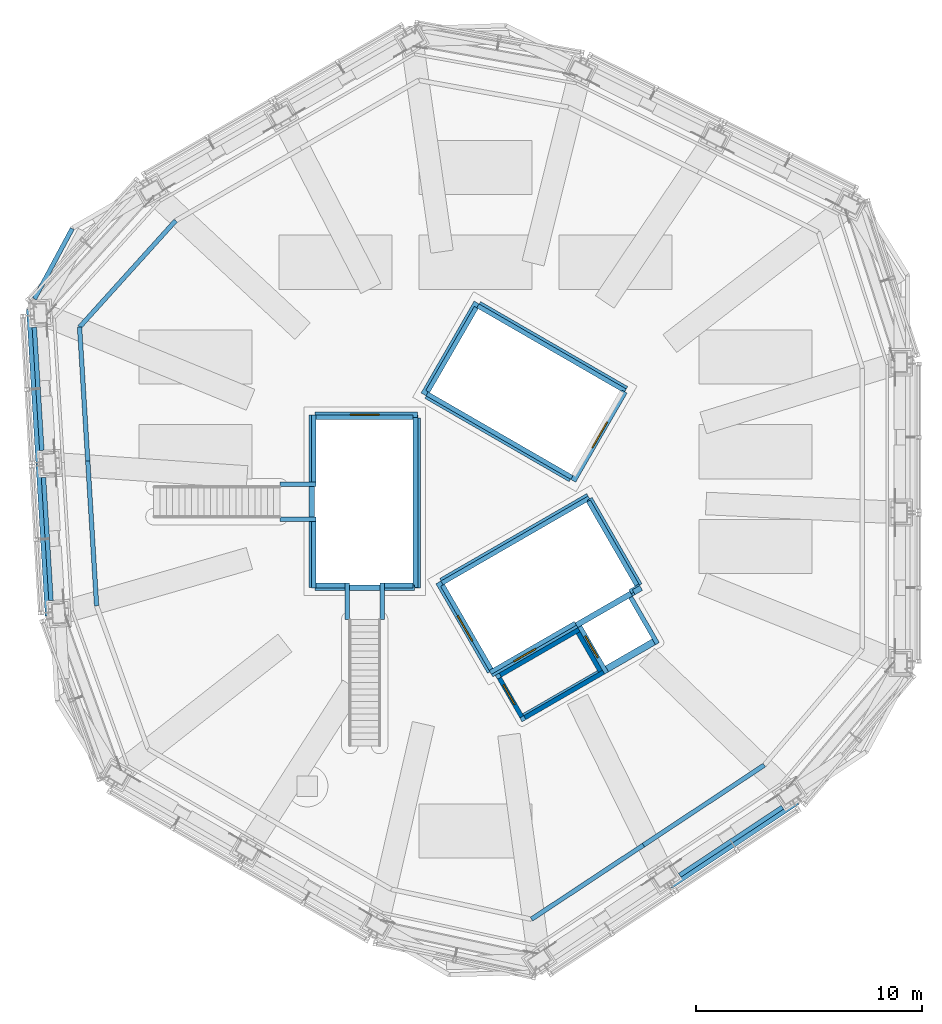
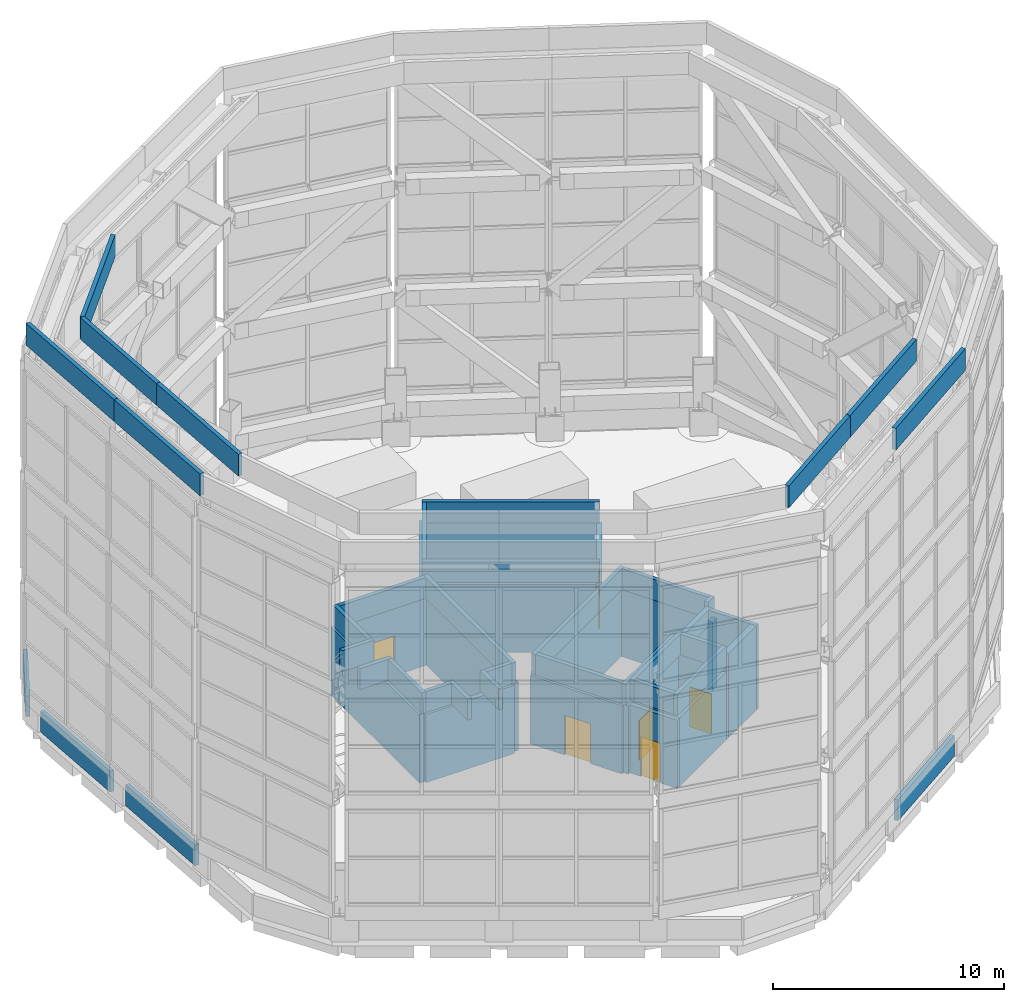
# One storey, part 21 of 46: 53 walls, 6 doors, 6 openings.
"""IFC4 building model written with IfcOpenShell, lengths in metres."""

from ifc_helpers import new_model, si_unit, direction, frame, frame_2d, origin, place, context, subcontext, project, spatial, rectangle, extrude, material, layer, layer_set, type_object, element, fill, save


model = new_model("IFC4")

# Units and contexts
model_context = context("Model", 3, precision=1e-05, world=origin(), true_north=direction((0.0, 1.0)))
body_context = subcontext(model_context, "Body", "Model", "MODEL_VIEW")
ifc_project = project(units=[si_unit("LENGTHUNIT", "METRE"), si_unit("AREAUNIT", "SQUARE_METRE"), si_unit("VOLUMEUNIT", "CUBIC_METRE"), si_unit("PLANEANGLEUNIT", "RADIAN"), si_unit("MASSUNIT", "GRAM", prefix="KILO")], contexts=[model_context])

# Site, building, storey
site_placement = place(None, origin())
site = spatial("IfcSite", under=ifc_project, at=site_placement, CompositionType="ELEMENT")
building_placement = place(site_placement, origin())
building = spatial("IfcBuilding", under=site, at=building_placement, Name="Vanh Sen Convention Tower", CompositionType="ELEMENT")
storey_placement = place(building_placement, frame((0.0, 0.0, 305.0)))
storey = spatial("IfcBuildingStorey", under=building, at=storey_placement, Name="Roof level", CompositionType="ELEMENT", Elevation=305.0)

# Walls
ifc_material_1 = material(Name="Concrete C50/60", Category="concrete")
ifc_layer_1 = layer(ifc_material_1, 0.199951171875)
ifc_layer_set_1 = layer_set([ifc_layer_1], Name="Concrete C50/60")
wall_type_1 = type_object("IfcWallType", Name="Crown deck parapet 200", PredefinedType="PARAPET", material=ifc_layer_set_1)
wall_1_placement = place(storey_placement, frame((-19.8330078125, 8.1259765625, 20.0), z_axis=(0.0, 0.0, 1.0), x_axis=(0.061022678925, -0.998136379788, 0.0)))
element("IfcWall", 1, at=wall_1_placement, inside=storey, type_object=wall_type_1, Name="Crown deck parapet outer 08", PredefinedType="PARAPET", context=body_context, shape_type="SweptSolid", body=[
    extrude(rectangle(XDim=6.873291015625, YDim=0.199951171875, at=frame_2d((3.4365234375, 0.0))), origin(), (0.0, 0.0, 1.0), 1.14990234375),
])
for number, where, z_axis, x_axis, name in (
    (2, (-19.41357421875, 1.265380859375, 20.0), (0.0, 0.0, 1.0), (0.06108279234, -0.998132702841, 0.0), "Crown deck parapet outer 09"),
    (3, (8.61083984375, -17.4453125, 20.0), (0.0, 0.0, 1.0), (0.833875036465, 0.551953280234, 0.0), "Crown deck parapet outer 15"),
):
    element("IfcWall", number, at=place(storey_placement, frame(where, z_axis=z_axis, x_axis=x_axis)), inside=storey, type_object=wall_type_1, Name=name, PredefinedType="PARAPET", context=body_context, shape_type="SweptSolid", body=[
        extrude(rectangle(XDim=6.73486328125, YDim=0.199951171875, at=frame_2d((3.367431640625, 0.0))), origin(), (0.0, 0.0, 1.0), 1.14990234375),
    ])
wall_2_placement = place(storey_placement, frame((-13.3232421875, 12.052978515625, 20.0), z_axis=(0.0, 0.0, 1.0), x_axis=(-0.670161316057, -0.742215474415, 0.0)))
element("IfcWall", 4, at=wall_2_placement, inside=storey, type_object=wall_type_1, Name="Crown deck parapet inner 07", PredefinedType="PARAPET", context=body_context, shape_type="SweptSolid", body=[
    extrude(rectangle(XDim=6.35302734375, YDim=0.199951171875, at=frame_2d((3.176513671875, 0.0))), origin(), (0.0, 0.0, 1.0), 1.14990234375),
])
wall_3_placement = place(storey_placement, frame((-17.580810546875, 7.337646484375, 20.0), z_axis=(0.0, 0.0, 1.0), x_axis=(0.061065006217, -0.99813379114, 0.0)))
element("IfcWall", 5, at=wall_3_placement, inside=storey, type_object=wall_type_1, Name="Crown deck parapet inner 08", PredefinedType="PARAPET", context=body_context, shape_type="SweptSolid", body=[
    extrude(rectangle(XDim=5.948974609375, YDim=0.199951171875, at=frame_2d((2.974609375, 0.0))), origin(), (0.0, 0.0, 1.0), 1.14990234375),
])
wall_4_placement = place(storey_placement, frame((-17.217529296875, 1.399658203125, 20.0), z_axis=(0.0, 0.0, 1.0), x_axis=(0.061033519724, -0.998135716959, 0.0)))
element("IfcWall", 6, at=wall_4_placement, inside=storey, type_object=wall_type_1, Name="Crown deck parapet inner 09", PredefinedType="PARAPET", context=body_context, shape_type="SweptSolid", body=[
    extrude(rectangle(XDim=6.420166015625, YDim=0.199951171875, at=frame_2d((3.2099609375, 0.0))), origin(), (0.0, 0.0, 1.0), 1.14990234375),
])
wall_5_placement = place(storey_placement, frame((2.435791015625, -18.894287109375, 20.0), z_axis=(0.0, 0.0, 1.0), x_axis=(0.833864151407, 0.551969724712, 0.0)))
element("IfcWall", 7, at=wall_5_placement, inside=storey, type_object=wall_type_1, Name="Crown deck parapet inner 14", PredefinedType="PARAPET", context=body_context, shape_type="SweptSolid", body=[
    extrude(rectangle(XDim=5.948974609375, YDim=0.199951171875, at=frame_2d((2.974609375, 0.0))), origin(), (0.0, 0.0, 1.0), 1.14990234375),
])
wall_6_placement = place(storey_placement, frame((7.396484375, -15.610595703125, 20.0), z_axis=(0.0, 0.0, 1.0), x_axis=(0.833894371207, 0.551924068754, 0.0)))
element("IfcWall", 8, at=wall_6_placement, inside=storey, type_object=wall_type_1, Name="Crown deck parapet inner 15", PredefinedType="PARAPET", context=body_context, shape_type="SweptSolid", body=[
    extrude(rectangle(XDim=6.420166015625, YDim=0.199951171875, at=frame_2d((3.2099609375, 0.0))), origin(), (0.0, 0.0, 1.0), 1.14990234375),
])
ifc_material_2 = material(Name="Concrete C40/50", Category="concrete")
ifc_layer_2 = layer(ifc_material_2, 0.199951171875)
ifc_layer_set_2 = layer_set([ifc_layer_2], Name="Concrete C40/50")
wall_type_2 = type_object("IfcWallType", Name="Head-house roof parapet 200", PredefinedType="PARAPET", material=ifc_layer_set_2)
for number, where, z_axis, x_axis, name in (
    (9, (-8.699951171875, 0.375, 3.60009765625), (0.0, 0.0, 1.0), (1.0, 0.0, 0.0), "Roof parapet Roof level"),
    (10, (-8.699951171875, -1.175048828125, 3.60009765625), (0.0, 0.0, 1.0), (1.0, 0.0, 0.0), "Roof parapet Roof level"),
):
    element("IfcWall", number, at=place(storey_placement, frame(where, z_axis=z_axis, x_axis=x_axis)), inside=storey, type_object=wall_type_2, Name=name, PredefinedType="PARAPET", context=body_context, shape_type="SweptSolid", body=[
        extrude(rectangle(XDim=1.599853515625, YDim=0.199951171875, at=frame_2d((0.7998046875, 0.0))), origin(), (0.0, 0.0, 1.0), 1.099853515625),
    ])
for number, where, z_axis, x_axis, name in (
    (11, (-4.175048828125, -5.610107421875, 3.60009765625), (0.0, 0.0, 1.0), (0.0, 1.0, 0.0), "Roof parapet Roof level"),
    (12, (-5.72509765625, -5.610107421875, 3.60009765625), (0.0, 0.0, 1.0), (0.0, 1.0, 0.0), "Roof parapet Roof level"),
):
    element("IfcWall", number, at=place(storey_placement, frame(where, z_axis=z_axis, x_axis=x_axis)), inside=storey, type_object=wall_type_2, Name=name, PredefinedType="PARAPET", context=body_context, shape_type="SweptSolid", body=[
        extrude(rectangle(XDim=1.60009765625, YDim=0.199951171875, at=frame_2d((0.800048828125, 0.0))), origin(), (0.0, 0.0, 1.0), 1.099853515625),
    ])
wall_7_placement = place(storey_placement, frame((6.587890625, 4.510498046875, 3.60009765625), z_axis=(0.0, 0.0, 1.0), x_axis=(-0.86603591336, 0.49998179644, 0.0)))
element("IfcWall", 13, at=wall_7_placement, inside=storey, type_object=wall_type_2, Name="Roof parapet Roof level", PredefinedType="PARAPET", context=body_context, shape_type="SweptSolid", body=[
    extrude(rectangle(XDim=7.659912109375, YDim=0.199951171875, at=frame_2d((3.830078125, 0.0))), origin(), (0.0, 0.0, 1.0), 1.099853515625),
])
wall_8_placement = place(storey_placement, frame((-0.009521484375, 8.203857421875, 3.60009765625), z_axis=(0.0, 0.0, 1.0), x_axis=(-0.499986217557, -0.866033360935, 0.0)))
element("IfcWall", 14, at=wall_8_placement, inside=storey, type_object=wall_type_2, Name="Roof parapet Roof level", PredefinedType="PARAPET", context=body_context, shape_type="SweptSolid", body=[
    extrude(rectangle(XDim=4.2998046875, YDim=0.199951171875, at=frame_2d((2.14990234375, 0.0))), origin(), (0.0, 0.0, 1.0), 1.099853515625),
])
wall_9_placement = place(storey_placement, frame((-2.2958984375, 4.443359375, 3.60009765625), z_axis=(0.0, 0.0, 1.0), x_axis=(0.866022112445, -0.500005700723, 0.0)))
element("IfcWall", 15, at=wall_9_placement, inside=storey, type_object=wall_type_2, Name="Roof parapet Roof level", PredefinedType="PARAPET", context=body_context, shape_type="SweptSolid", body=[
    extrude(rectangle(XDim=7.66015625, YDim=0.199951171875, at=frame_2d((3.830078125, 0.0))), origin(), (0.0, 0.0, 1.0), 1.099853515625),
])
wall_10_placement = place(storey_placement, frame((-2.800048828125, 3.35009765625, 3.60009765625), z_axis=(0.0, 0.0, 1.0), x_axis=(-1.0, 0.0, 0.0)))
element("IfcWall", 16, at=wall_10_placement, inside=storey, type_object=wall_type_2, Name="Roof parapet Roof level", PredefinedType="PARAPET", context=body_context, shape_type="SweptSolid", body=[
    extrude(rectangle(XDim=4.300048828125, YDim=0.199951171875, at=frame_2d((2.14990234375, 0.0))), origin(), (0.0, 0.0, 1.0), 1.099853515625),
])
wall_11_placement = place(storey_placement, frame((-7.199951171875, 3.449951171875, 3.60009765625), z_axis=(0.0, 0.0, 1.0), x_axis=(0.0, -1.0, 0.0)))
element("IfcWall", 17, at=wall_11_placement, inside=storey, type_object=wall_type_2, Name="Roof parapet Roof level", PredefinedType="PARAPET", context=body_context, shape_type="SweptSolid", body=[
    extrude(rectangle(XDim=2.974853515625, YDim=0.199951171875, at=frame_2d((1.4873046875, 0.0))), origin(), (0.0, 0.0, 1.0), 1.099853515625),
])
wall_12_placement = place(storey_placement, frame((-7.199951171875, -1.27490234375, 3.60009765625), z_axis=(0.0, 0.0, 1.0), x_axis=(0.0, -1.0, 0.0)))
element("IfcWall", 18, at=wall_12_placement, inside=storey, type_object=wall_type_2, Name="Roof parapet Roof level", PredefinedType="PARAPET", context=body_context, shape_type="SweptSolid", body=[
    extrude(rectangle(XDim=2.93505859375, YDim=0.199951171875, at=frame_2d((1.467529296875, 0.0))), origin(), (0.0, 0.0, 1.0), 1.099853515625),
])
wall_13_placement = place(storey_placement, frame((-7.10009765625, -4.110107421875, 3.60009765625), z_axis=(0.0, 0.0, 1.0), x_axis=(1.0, 0.0, 0.0)))
element("IfcWall", 19, at=wall_13_placement, inside=storey, type_object=wall_type_2, Name="Roof parapet Roof level", PredefinedType="PARAPET", context=body_context, shape_type="SweptSolid", body=[
    extrude(rectangle(XDim=1.275146484375, YDim=0.199951171875, at=frame_2d((0.6376953125, 0.0))), origin(), (0.0, 0.0, 1.0), 1.099853515625),
])
wall_14_placement = place(storey_placement, frame((-4.074951171875, -4.110107421875, 3.60009765625), z_axis=(0.0, 0.0, 1.0), x_axis=(1.0, 0.0, 0.0)))
element("IfcWall", 20, at=wall_14_placement, inside=storey, type_object=wall_type_2, Name="Roof parapet Roof level", PredefinedType="PARAPET", context=body_context, shape_type="SweptSolid", body=[
    extrude(rectangle(XDim=1.27490234375, YDim=0.199951171875, at=frame_2d((0.637451171875, 0.0))), origin(), (0.0, 0.0, 1.0), 1.099853515625),
])
wall_15_placement = place(storey_placement, frame((-2.699951171875, -4.2099609375, 3.60009765625), z_axis=(0.0, 0.0, 1.0), x_axis=(0.0, 1.0, 0.0)))
element("IfcWall", 21, at=wall_15_placement, inside=storey, type_object=wall_type_2, Name="Roof parapet Roof level", PredefinedType="PARAPET", context=body_context, shape_type="SweptSolid", body=[
    extrude(rectangle(XDim=7.659912109375, YDim=0.199951171875, at=frame_2d((3.830078125, 0.0))), origin(), (0.0, 0.0, 1.0), 1.099853515625),
])
wall_16_placement = place(storey_placement, frame((-1.501220703125, -4.099853515625, 3.60009765625), z_axis=(0.0, 0.0, 1.0), x_axis=(0.499986217557, -0.866033360935, 0.0)))
element("IfcWall", 22, at=wall_16_placement, inside=storey, type_object=wall_type_2, Name="Roof parapet Roof level", PredefinedType="PARAPET", context=body_context, shape_type="SweptSolid", body=[
    extrude(rectangle(XDim=4.2998046875, YDim=0.199951171875, at=frame_2d((2.14990234375, 0.0))), origin(), (0.0, 0.0, 1.0), 1.099853515625),
])
wall_17_placement = place(storey_placement, frame((0.6123046875, -7.96044921875, 3.60009765625), z_axis=(0.0, 0.0, 1.0), x_axis=(0.866013608182, 0.500020430026, 0.0)))
element("IfcWall", 23, at=wall_17_placement, inside=storey, type_object=wall_type_2, Name="Roof parapet Roof level", PredefinedType="PARAPET", context=body_context, shape_type="SweptSolid", body=[
    extrude(rectangle(XDim=4.349853515625, YDim=0.199951171875, at=frame_2d((2.1748046875, 0.0))), origin(), (0.0, 0.0, 1.0), 1.099853515625),
])
wall_18_placement = place(storey_placement, frame((6.80419921875, -4.385498046875, 3.60009765625), z_axis=(0.0, 0.0, 1.0), x_axis=(0.866026229868, 0.499998569178, 0.0)))
element("IfcWall", 24, at=wall_18_placement, inside=storey, type_object=wall_type_2, Name="Roof parapet Roof level", PredefinedType="PARAPET", context=body_context, shape_type="SweptSolid", body=[
    extrude(rectangle(XDim=0.51025390625, YDim=0.199951171875, at=frame_2d((0.255126953125, 0.0))), origin(), (0.0, 0.0, 1.0), 1.099853515625),
])
wall_19_placement = place(storey_placement, frame((7.109375, -4.09375, 3.60009765625), z_axis=(0.0, 0.0, 1.0), x_axis=(-0.499986217557, 0.866033360935, 0.0)))
element("IfcWall", 25, at=wall_19_placement, inside=storey, type_object=wall_type_2, Name="Roof parapet Roof level", PredefinedType="PARAPET", context=body_context, shape_type="SweptSolid", body=[
    extrude(rectangle(XDim=4.2998046875, YDim=0.199951171875, at=frame_2d((2.14990234375, 0.0))), origin(), (0.0, 0.0, 1.0), 1.099853515625),
])
wall_20_placement = place(storey_placement, frame((4.99609375, -0.2333984375, 3.60009765625), z_axis=(0.0, 0.0, 1.0), x_axis=(-0.86603591336, -0.49998179644, 0.0)))
element("IfcWall", 26, at=wall_20_placement, inside=storey, type_object=wall_type_2, Name="Roof parapet Roof level", PredefinedType="PARAPET", context=body_context, shape_type="SweptSolid", body=[
    extrude(rectangle(XDim=7.659912109375, YDim=0.199951171875, at=frame_2d((3.830078125, 0.0))), origin(), (0.0, 0.0, 1.0), 1.099853515625),
])
wall_21_placement = place(storey_placement, frame((1.01953125, -8.2158203125, 3.85009765625), z_axis=(0.0, 0.0, 1.0), x_axis=(0.500007788796, -0.866020906874, 0.0)))
element("IfcWall", 27, at=wall_21_placement, inside=storey, type_object=wall_type_2, Name="Roof parapet Roof level", PredefinedType="PARAPET", context=body_context, shape_type="SweptSolid", body=[
    extrude(rectangle(XDim=1.97509765625, YDim=0.199951171875, at=frame_2d((0.987548828125, 0.0))), origin(), (0.0, 0.0, 1.0), 1.099853515625),
])
wall_22_placement = place(storey_placement, frame((1.970458984375, -10.06298828125, 3.85009765625), z_axis=(0.0, 0.0, 1.0), x_axis=(0.866019110416, 0.500010900276, 0.0)))
element("IfcWall", 28, at=wall_22_placement, inside=storey, type_object=wall_type_2, Name="Roof parapet Roof level", PredefinedType="PARAPET", context=body_context, shape_type="SweptSolid", body=[
    extrude(rectangle(XDim=4.22509765625, YDim=0.199951171875, at=frame_2d((2.112548828125, 0.0))), origin(), (0.0, 0.0, 1.0), 1.099853515625),
])
wall_23_placement = place(storey_placement, frame((5.492919921875, -7.913818359375, 3.85009765625), z_axis=(0.0, 0.0, 1.0), x_axis=(-0.500007788796, 0.866020906874, 0.0)))
element("IfcWall", 29, at=wall_23_placement, inside=storey, type_object=wall_type_2, Name="Roof parapet Roof level", PredefinedType="PARAPET", context=body_context, shape_type="SweptSolid", body=[
    extrude(rectangle(XDim=1.97509765625, YDim=0.199951171875, at=frame_2d((0.987548828125, 0.0))), origin(), (0.0, 0.0, 1.0), 1.099853515625),
])
wall_24_placement = place(storey_placement, frame((4.5419921875, -6.06689453125, 3.85009765625), z_axis=(0.0, 0.0, 1.0), x_axis=(-0.866044131922, -0.499967560512, 0.0)))
element("IfcWall", 30, at=wall_24_placement, inside=storey, type_object=wall_type_2, Name="Roof parapet Roof level", PredefinedType="PARAPET", context=body_context, shape_type="SweptSolid", body=[
    extrude(rectangle(XDim=4.224853515625, YDim=0.199951171875, at=frame_2d((2.1123046875, 0.0))), origin(), (0.0, 0.0, 1.0), 1.099853515625),
])

# Wall, opening, door
ifc_layer_3 = layer(ifc_material_2, 0.199951171875)
ifc_layer_set_3 = layer_set([ifc_layer_3], Name="Concrete C40/50")
wall_type_3 = type_object("IfcWallType", Name="Lift overrun wall 200", PredefinedType="SHEAR", material=ifc_layer_set_3)
wall_25_placement = place(storey_placement, frame((0.919677734375, -8.042724609375, 0.0), z_axis=(0.0, 0.0, 1.0), x_axis=(0.499986429846, -0.866033238375, 0.0)))
wall_25 = element("IfcWall", 31, at=wall_25_placement, inside=storey, type_object=wall_type_3, Name="Lift overrun wall Roof level", PredefinedType="SHEAR", context=body_context, shape_type="SweptSolid", body=[
    extrude(rectangle(XDim=2.375, YDim=0.199951171875, at=frame_2d((1.1875, 0.0))), origin(), (0.0, 0.0, 1.0), 3.60009765625),
])
opening_1_placement = place(wall_25_placement, frame((0.53759765625, 0.0, 0.0)))
opening_1 = element("IfcOpeningElement", 32, at=opening_1_placement, cuts=wall_25, Name="Opening RC-D104", PredefinedType="OPENING", context=body_context, shape_type="SweptSolid", body=[
    extrude(rectangle(XDim=1.0, YDim=2.10009765625, at=frame_2d((0.5, 1.050048828125))), frame((0.0, 0.10986328125, 0.0), z_axis=(0.0, -1.0, 0.0), x_axis=(1.0, 0.0, 0.0)), (0.0, 0.0, 1.0), 0.219970703125),
])
ifc_material_3 = material(Name="Steel S355", Category="steel")
door_type_1 = type_object("IfcDoorType", Name="Roof door 1000", OperationType="SINGLE_SWING_LEFT", PredefinedType="DOOR", material=ifc_material_3)
door_1_placement = place(opening_1_placement, origin())
door_1 = element("IfcDoor", 33, at=door_1_placement, inside=storey, type_object=door_type_1, Name="Roof door RC-D104", OperationType="SINGLE_SWING_LEFT", OverallHeight=2.10009765625, OverallWidth=1.0, PredefinedType="DOOR", context=body_context, shape_type="SweptSolid", body=[
    extrude(rectangle(XDim=1.0, YDim=2.10009765625, at=frame_2d((0.5, 1.050048828125))), frame((0.0, 0.02490234375, 0.0), z_axis=(0.0, -1.0, 0.0), x_axis=(1.0, 0.0, 0.0)), (0.0, 0.0, 1.0), 0.050048828125),
])
fill(opening_1, door_1)

wall_26_placement = place(storey_placement, frame((4.57861328125, -5.93017578125, 0.0), z_axis=(0.0, 0.0, 1.0), x_axis=(0.499986429846, -0.866033238375, 0.0)))
wall_26 = element("IfcWall", 34, at=wall_26_placement, inside=storey, type_object=wall_type_3, Name="Lift overrun wall Roof level", PredefinedType="SHEAR", context=body_context, shape_type="SweptSolid", body=[
    extrude(rectangle(XDim=2.375, YDim=0.199951171875, at=frame_2d((1.1875, 0.0))), origin(), (0.0, 0.0, 1.0), 4.449951171875),
])
opening_2_placement = place(wall_26_placement, frame((0.487548828125, 0.0, 0.0)))
opening_2 = element("IfcOpeningElement", 35, at=opening_2_placement, cuts=wall_26, Name="Opening LD-SV1", PredefinedType="OPENING", context=body_context, shape_type="SweptSolid", body=[
    extrude(rectangle(XDim=1.10009765625, YDim=2.10009765625, at=frame_2d((0.550048828125, 1.050048828125))), frame((0.0, 0.10986328125, 0.0), z_axis=(0.0, -1.0, 0.0), x_axis=(1.0, 0.0, 0.0)), (0.0, 0.0, 1.0), 0.219970703125),
])
ifc_material_4 = material(Name="Stainless steel", Category="steel")
door_type_2 = type_object("IfcDoorType", Name="Lift landing door 1100", OperationType="DOUBLE_DOOR_SLIDING", PredefinedType="DOOR", material=ifc_material_4)
door_2_placement = place(opening_2_placement, origin())
door_2 = element("IfcDoor", 36, at=door_2_placement, inside=storey, type_object=door_type_2, Name="Lift SV1 landing door LD-SV1", OperationType="DOUBLE_DOOR_SLIDING", OverallHeight=2.10009765625, OverallWidth=1.10009765625, PredefinedType="DOOR", context=body_context, shape_type="SweptSolid", body=[
    extrude(rectangle(XDim=1.10009765625, YDim=2.10009765625, at=frame_2d((0.550048828125, 1.050048828125))), frame((0.0, 0.02490234375, 0.0), z_axis=(0.0, -1.0, 0.0), x_axis=(1.0, 0.0, 0.0)), (0.0, 0.0, 1.0), 0.050048828125),
])
fill(opening_2, door_2)

# Walls
wall_27_placement = place(storey_placement, frame((6.830078125, -4.630126953125, 0.0), z_axis=(0.0, 0.0, 1.0), x_axis=(0.499986429846, -0.866033238375, 0.0)))
element("IfcWall", 37, at=wall_27_placement, inside=storey, type_object=wall_type_3, Name="Lift overrun wall Roof level", PredefinedType="SHEAR", context=body_context, shape_type="SweptSolid", body=[
    extrude(rectangle(XDim=2.375, YDim=0.199951171875, at=frame_2d((1.1875, 0.0))), origin(), (0.0, 0.0, 1.0), 4.449951171875),
])
ifc_layer_4 = layer(ifc_material_2, 0.25)
ifc_layer_set_4 = layer_set([ifc_layer_4], Name="Concrete C40/50")
wall_type_4 = type_object("IfcWallType", Name="Lift overrun wall 250", PredefinedType="SHEAR", material=ifc_layer_set_4)
wall_28_placement = place(storey_placement, frame((4.429443359375, -5.8720703125, 3.60009765625), z_axis=(0.0, 0.0, 1.0), x_axis=(0.865996816683, 0.500049511043, 0.0)))
element("IfcWall", 38, at=wall_28_placement, inside=storey, type_object=wall_type_4, Name="Lift overrun wall Roof level", PredefinedType="SHEAR", context=body_context, shape_type="SweptSolid", body=[
    extrude(rectangle(XDim=2.800048828125, YDim=0.25, at=frame_2d((1.39990234375, 0.0))), origin(), (0.0, 0.0, 1.0), 0.849853515625),
])
ifc_layer_5 = layer(ifc_material_2, 0.300048828125)
ifc_layer_set_5 = layer_set([ifc_layer_5], Name="Concrete C40/50")
wall_type_5 = type_object("IfcWallType", Name="Lift overrun wall 300", PredefinedType="SHEAR", material=ifc_layer_set_5)
wall_29_placement = place(storey_placement, frame((2.11865234375, -9.919677734375, 0.0), z_axis=(0.0, 0.0, 1.0), x_axis=(0.866009832753, 0.500026968848, 0.0)))
element("IfcWall", 39, at=wall_29_placement, inside=storey, type_object=wall_type_5, Name="Lift overrun wall Roof level", PredefinedType="SHEAR", context=body_context, shape_type="SweptSolid", body=[
    extrude(rectangle(XDim=4.025146484375, YDim=0.300048828125, at=frame_2d((2.0126953125, 0.0))), origin(), (0.0, 0.0, 1.0), 3.60009765625),
])
wall_30_placement = place(storey_placement, frame((5.777587890625, -7.80712890625, 0.0), z_axis=(0.0, 0.0, 1.0), x_axis=(0.866050077142, 0.499957262057, 0.0)))
element("IfcWall", 40, at=wall_30_placement, inside=storey, type_object=wall_type_5, Name="Lift overrun wall Roof level", PredefinedType="SHEAR", context=body_context, shape_type="SweptSolid", body=[
    extrude(rectangle(XDim=2.400146484375, YDim=0.300048828125, at=frame_2d((1.2001953125, 0.0))), origin(), (0.0, 0.0, 1.0), 4.449951171875),
])
ifc_layer_6 = layer(ifc_material_1, 0.199951171875)
ifc_layer_set_6 = layer_set([ifc_layer_6], Name="Concrete C50/60")
wall_type_6 = type_object("IfcWallType", Name="Roof parapet 200", PredefinedType="PARAPET", material=ifc_layer_set_6)
wall_31_placement = place(storey_placement, frame((-17.906005859375, 11.699462890625, 0.0), z_axis=(0.0, 0.0, 1.0), x_axis=(-0.473329203349, -0.880885614173, 0.0)))
element("IfcWall", 41, at=wall_31_placement, inside=storey, type_object=wall_type_6, Name="Roof parapet CH3", PredefinedType="PARAPET", context=body_context, shape_type="SweptSolid", body=[
    extrude(rectangle(XDim=3.53369140625, YDim=0.199951171875, at=frame_2d((1.766845703125, 0.0))), origin(), (0.0, 0.0, 1.0), 1.10009765625),
])
wall_32_placement = place(storey_placement, frame((-19.583984375, 7.32763671875, 0.0), z_axis=(0.0, 0.0, 1.0), x_axis=(0.061086423322, -0.998132480629, 0.0)))
element("IfcWall", 42, at=wall_32_placement, inside=storey, type_object=wall_type_6, Name="Roof parapet W 1", PredefinedType="PARAPET", context=body_context, shape_type="SweptSolid", body=[
    extrude(rectangle(XDim=5.45947265625, YDim=0.199951171875, at=frame_2d((2.729736328125, 0.0))), origin(), (0.0, 0.0, 1.0), 1.10009765625),
])
for number, where, z_axis, x_axis, name in (
    (43, (-19.177001953125, 0.6767578125, 0.0), (0.0, 0.0, 1.0), (0.061044595596, -0.998135039636, 0.0), "Roof parapet W 2"),
    (44, (9.00244140625, -16.9462890625, 0.0), (0.0, 0.0, 1.0), (0.833889528104, 0.55193138606, 0.0), "Roof parapet SE 2"),
):
    element("IfcWall", number, at=place(storey_placement, frame(where, z_axis=z_axis, x_axis=x_axis)), inside=storey, type_object=wall_type_6, Name=name, PredefinedType="PARAPET", context=body_context, shape_type="SweptSolid", body=[
        extrude(rectangle(XDim=5.459228515625, YDim=0.199951171875, at=frame_2d((2.7294921875, 0.0))), origin(), (0.0, 0.0, 1.0), 1.10009765625),
    ])

# Wall, opening, door
ifc_layer_7 = layer(ifc_material_2, 0.25)
ifc_layer_set_7 = layer_set([ifc_layer_7], Name="Concrete C40/50")
wall_type_7 = type_object("IfcWallType", Name="Stair head-house wall 250", PredefinedType="SOLIDWALL", material=ifc_layer_set_7)
wall_33_placement = place(storey_placement, frame((0.662109375, -8.047119140625, 0.0), z_axis=(0.0, 0.0, 1.0), x_axis=(0.866026430432, 0.49999822179, 0.0)))
wall_33 = element("IfcWall", 45, at=wall_33_placement, inside=storey, type_object=wall_type_7, Name="Stair head-house wall Roof level-001", PredefinedType="SOLIDWALL", context=body_context, shape_type="SweptSolid", body=[
    extrude(rectangle(XDim=7.2802734375, YDim=0.25, at=frame_2d((3.64013671875, 0.0))), origin(), (0.0, 0.0, 1.0), 3.60009765625),
])
opening_3_placement = place(wall_33_placement, frame((1.150146484375, 0.0, 0.0)))
opening_3 = element("IfcOpeningElement", 46, at=opening_3_placement, cuts=wall_33, Name="Opening D75101", PredefinedType="OPENING", context=body_context, shape_type="SweptSolid", body=[
    extrude(rectangle(XDim=1.10009765625, YDim=2.10009765625, at=frame_2d((0.550048828125, 1.050048828125))), frame((0.0, 0.135009765625, 0.0), z_axis=(0.0, -1.0, 0.0), x_axis=(1.0, 0.0, 0.0)), (0.0, 0.0, 1.0), 0.27001953125),
])
ifc_material_5 = material(Name="Steel S355", Category="steel")
door_type_3 = type_object("IfcDoorType", Name="Stair door 1100 EI 60", OperationType="SINGLE_SWING_LEFT", PredefinedType="DOOR", material=ifc_material_5)
door_3_placement = place(opening_3_placement, frame((1.10009765625, 0.0, 0.0), z_axis=(0.0, 0.0, 1.0), x_axis=(-1.0, 0.0, 0.0)))
door_3 = element("IfcDoor", 47, at=door_3_placement, inside=storey, type_object=door_type_3, Name="Stair door D75101", OperationType="SINGLE_SWING_RIGHT", OverallHeight=2.10009765625, OverallWidth=1.10009765625, PredefinedType="DOOR", context=body_context, shape_type="SweptSolid", body=[
    extrude(rectangle(XDim=1.10009765625, YDim=2.10009765625, at=frame_2d((0.550048828125, 1.050048828125))), frame((0.0, 0.02490234375, 0.0), z_axis=(0.0, -1.0, 0.0), x_axis=(1.0, 0.0, 0.0)), (0.0, 0.0, 1.0), 0.050048828125),
])
fill(opening_3, door_3)

wall_34_placement = place(storey_placement, frame((0.599365234375, -7.9384765625, 0.0), z_axis=(0.0, 0.0, 1.0), x_axis=(-0.499990387265, 0.866030953628, 0.0)))
wall_34 = element("IfcWall", 48, at=wall_34_placement, inside=storey, type_object=wall_type_7, Name="Stair head-house wall Roof level-002", PredefinedType="SOLIDWALL", context=body_context, shape_type="SweptSolid", body=[
    extrude(rectangle(XDim=4.57470703125, YDim=0.25, at=frame_2d((2.287353515625, 0.0))), origin(), (0.0, 0.0, 1.0), 3.60009765625),
])
opening_4_placement = place(wall_34_placement, frame((1.57470703125, 0.0, 0.0)))
opening_4 = element("IfcOpeningElement", 49, at=opening_4_placement, cuts=wall_34, Name="Opening D75102", PredefinedType="OPENING", context=body_context, shape_type="SweptSolid", body=[
    extrude(rectangle(XDim=1.300048828125, YDim=2.10009765625, at=frame_2d((0.64990234375, 1.050048828125))), frame((0.0, 0.135009765625, 0.0), z_axis=(0.0, -1.0, 0.0), x_axis=(1.0, 0.0, 0.0)), (0.0, 0.0, 1.0), 0.27001953125),
])
door_type_4 = type_object("IfcDoorType", Name="Stair door 1300 EI 60", OperationType="SINGLE_SWING_LEFT", PredefinedType="DOOR", material=ifc_material_5)
door_4_placement = place(opening_4_placement, origin())
door_4 = element("IfcDoor", 50, at=door_4_placement, inside=storey, type_object=door_type_4, Name="Stair door D75102", OperationType="SINGLE_SWING_LEFT", OverallHeight=2.10009765625, OverallWidth=1.300048828125, PredefinedType="DOOR", context=body_context, shape_type="SweptSolid", body=[
    extrude(rectangle(XDim=1.300048828125, YDim=2.10009765625, at=frame_2d((0.64990234375, 1.050048828125))), frame((0.0, 0.02490234375, 0.0), z_axis=(0.0, -1.0, 0.0), x_axis=(1.0, 0.0, 0.0)), (0.0, 0.0, 1.0), 0.050048828125),
])
fill(opening_4, door_4)

# Walls
wall_35_placement = place(storey_placement, frame((7.2958984375, -4.217041015625, 0.0), z_axis=(0.0, 0.0, 1.0), x_axis=(-0.865939322839, -0.50014906694, 0.0)))
element("IfcWall", 51, at=wall_35_placement, inside=storey, type_object=wall_type_7, Name="Stair head-house wall Roof level-003", PredefinedType="SOLIDWALL", context=body_context, shape_type="SweptSolid", body=[
    extrude(rectangle(XDim=0.3798828125, YDim=0.25, at=frame_2d((0.18994140625, 0.0))), origin(), (0.0, 0.0, 1.0), 3.60009765625),
])
wall_36_placement = place(storey_placement, frame((-7.300048828125, -4.2099609375, 0.0), z_axis=(0.0, 0.0, 1.0), x_axis=(0.0, 1.0, 0.0)))
element("IfcWall", 52, at=wall_36_placement, inside=storey, type_object=wall_type_7, Name="Stair head-house wall Roof level-004", PredefinedType="SOLIDWALL", context=body_context, shape_type="SweptSolid", body=[
    extrude(rectangle(XDim=7.659912109375, YDim=0.25, at=frame_2d((3.830078125, 0.0))), origin(), (0.0, 0.0, 1.0), 3.60009765625),
])
wall_37_placement = place(storey_placement, frame((-2.739990234375, -4.2099609375, 0.0), z_axis=(0.0, 0.0, 1.0), x_axis=(-1.0, 0.0, 0.0)))
element("IfcWall", 53, at=wall_37_placement, inside=storey, type_object=wall_type_7, Name="Stair head-house wall Roof level-005", PredefinedType="SOLIDWALL", context=body_context, shape_type="SweptSolid", body=[
    extrude(rectangle(XDim=4.419921875, YDim=0.25, at=frame_2d((2.2099609375, 0.0))), origin(), (0.0, 0.0, 1.0), 3.60009765625),
])
wall_38_placement = place(storey_placement, frame((-1.566650390625, -3.906494140625, 0.0), z_axis=(0.0, 0.0, 1.0), x_axis=(0.866030967488, 0.499990363259, 0.0)))
element("IfcWall", 54, at=wall_38_placement, inside=storey, type_object=wall_type_7, Name="Stair head-house wall Roof level-006", PredefinedType="SOLIDWALL", context=body_context, shape_type="SweptSolid", body=[
    extrude(rectangle(XDim=7.520263671875, YDim=0.25, at=frame_2d((3.76025390625, 0.0))), origin(), (0.0, 0.0, 1.0), 3.60009765625),
])
wall_39_placement = place(storey_placement, frame((5.01611328125, -0.267822265625, 0.0), z_axis=(0.0, 0.0, 1.0), x_axis=(0.499988613066, -0.866031977934, 0.0)))
element("IfcWall", 55, at=wall_39_placement, inside=storey, type_object=wall_type_7, Name="Stair head-house wall Roof level-007", PredefinedType="SOLIDWALL", context=body_context, shape_type="SweptSolid", body=[
    extrude(rectangle(XDim=4.419921875, YDim=0.25, at=frame_2d((2.2099609375, 0.0))), origin(), (0.0, 0.0, 1.0), 3.60009765625),
])
wall_40_placement = place(storey_placement, frame((4.166748046875, 0.596435546875, 0.0), z_axis=(0.0, 0.0, 1.0), x_axis=(-0.86602583418, 0.499999254532, 0.0)))
element("IfcWall", 56, at=wall_40_placement, inside=storey, type_object=wall_type_7, Name="Stair head-house wall Roof level-008", PredefinedType="SOLIDWALL", context=body_context, shape_type="SweptSolid", body=[
    extrude(rectangle(XDim=7.38037109375, YDim=0.25, at=frame_2d((3.690185546875, 0.0))), origin(), (0.0, 0.0, 1.0), 3.60009765625),
])
wall_41_placement = place(storey_placement, frame((-2.60009765625, 3.31005859375, 0.0), z_axis=(0.0, 0.0, 1.0), x_axis=(0.0, -1.0, 0.0)))
element("IfcWall", 57, at=wall_41_placement, inside=storey, type_object=wall_type_7, Name="Stair head-house wall Roof level-009", PredefinedType="SOLIDWALL", context=body_context, shape_type="SweptSolid", body=[
    extrude(rectangle(XDim=7.52001953125, YDim=0.25, at=frame_2d((3.760009765625, 0.0))), origin(), (0.0, 0.0, 1.0), 3.60009765625),
])

# Wall, opening, door
wall_42_placement = place(storey_placement, frame((-7.159912109375, 3.449951171875, 0.0), z_axis=(0.0, 0.0, 1.0), x_axis=(1.0, 0.0, 0.0)))
wall_42 = element("IfcWall", 58, at=wall_42_placement, inside=storey, type_object=wall_type_7, Name="Stair head-house wall Roof level-010", PredefinedType="SOLIDWALL", context=body_context, shape_type="SweptSolid", body=[
    extrude(rectangle(XDim=4.559814453125, YDim=0.25, at=frame_2d((2.27978515625, 0.0))), origin(), (0.0, 0.0, 1.0), 3.60009765625),
])
opening_5_placement = place(wall_42_placement, frame((1.56005859375, 0.0, 0.0)))
opening_5 = element("IfcOpeningElement", 59, at=opening_5_placement, cuts=wall_42, Name="Opening D75103", PredefinedType="OPENING", context=body_context, shape_type="SweptSolid", body=[
    extrude(rectangle(XDim=1.300048828125, YDim=2.10009765625, at=frame_2d((0.64990234375, 1.050048828125))), frame((0.0, 0.135009765625, 0.0), z_axis=(0.0, -1.0, 0.0), x_axis=(1.0, 0.0, 0.0)), (0.0, 0.0, 1.0), 0.27001953125),
])
door_5_placement = place(opening_5_placement, origin())
door_5 = element("IfcDoor", 60, at=door_5_placement, inside=storey, type_object=door_type_4, Name="Stair door D75103", OperationType="SINGLE_SWING_LEFT", OverallHeight=2.10009765625, OverallWidth=1.300048828125, PredefinedType="DOOR", context=body_context, shape_type="SweptSolid", body=[
    extrude(rectangle(XDim=1.300048828125, YDim=2.10009765625, at=frame_2d((0.64990234375, 1.050048828125))), frame((0.0, 0.02490234375, 0.0), z_axis=(0.0, -1.0, 0.0), x_axis=(1.0, 0.0, 0.0)), (0.0, 0.0, 1.0), 0.050048828125),
])
fill(opening_5, door_5)

# Wall
wall_43_placement = place(storey_placement, frame((-2.345947265625, 4.3564453125, 0.0), z_axis=(0.0, 0.0, 1.0), x_axis=(0.499954768156, 0.866051516827, 0.0)))
element("IfcWall", 61, at=wall_43_placement, inside=storey, type_object=wall_type_7, Name="Stair head-house wall Roof level-011", PredefinedType="SOLIDWALL", context=body_context, shape_type="SweptSolid", body=[
    extrude(rectangle(XDim=4.7001953125, YDim=0.25, at=frame_2d((2.35009765625, 0.0))), origin(), (0.0, 0.0, 1.0), 3.60009765625),
])

# Wall, opening, door
wall_44_placement = place(storey_placement, frame((6.568115234375, 4.475830078125, 0.0), z_axis=(0.0, 0.0, 1.0), x_axis=(-0.499991248344, -0.866030456496, 0.0)))
wall_44 = element("IfcWall", 62, at=wall_44_placement, inside=storey, type_object=wall_type_7, Name="Stair head-house wall Roof level-012", PredefinedType="SOLIDWALL", context=body_context, shape_type="SweptSolid", body=[
    extrude(rectangle(XDim=4.56005859375, YDim=0.25, at=frame_2d((2.280029296875, 0.0))), origin(), (0.0, 0.0, 1.0), 3.60009765625),
])
opening_6_placement = place(wall_44_placement, frame((1.56005859375, 0.0, 0.0)))
opening_6 = element("IfcOpeningElement", 63, at=opening_6_placement, cuts=wall_44, Name="Opening D75104", PredefinedType="OPENING", context=body_context, shape_type="SweptSolid", body=[
    extrude(rectangle(XDim=1.300048828125, YDim=2.10009765625, at=frame_2d((0.64990234375, 1.050048828125))), frame((0.0, 0.135009765625, 0.0), z_axis=(0.0, -1.0, 0.0), x_axis=(1.0, 0.0, 0.0)), (0.0, 0.0, 1.0), 0.27001953125),
])
door_6_placement = place(opening_6_placement, origin())
door_6 = element("IfcDoor", 64, at=door_6_placement, inside=storey, type_object=door_type_4, Name="Stair door D75104", OperationType="SINGLE_SWING_LEFT", OverallHeight=2.10009765625, OverallWidth=1.300048828125, PredefinedType="DOOR", context=body_context, shape_type="SweptSolid", body=[
    extrude(rectangle(XDim=1.300048828125, YDim=2.10009765625, at=frame_2d((0.64990234375, 1.050048828125))), frame((0.0, 0.02490234375, 0.0), z_axis=(0.0, -1.0, 0.0), x_axis=(1.0, 0.0, 0.0)), (0.0, 0.0, 1.0), 0.050048828125),
])
fill(opening_6, door_6)

# Wall
wall_45_placement = place(storey_placement, frame((0.125244140625, 8.35693359375, 0.0), z_axis=(0.0, 0.0, 1.0), x_axis=(0.866030967488, -0.499990363259, 0.0)))
element("IfcWall", 65, at=wall_45_placement, inside=storey, type_object=wall_type_7, Name="Stair head-house wall Roof level-013", PredefinedType="SOLIDWALL", context=body_context, shape_type="SweptSolid", body=[
    extrude(rectangle(XDim=7.520263671875, YDim=0.25, at=frame_2d((3.76025390625, 0.0))), origin(), (0.0, 0.0, 1.0), 3.60009765625),
])

save(model, "model.ifc")
